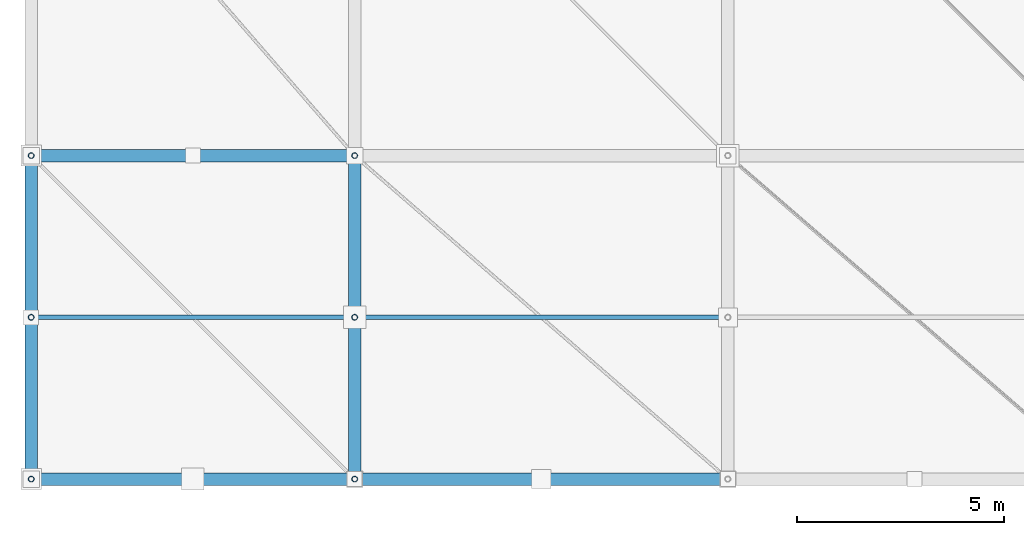
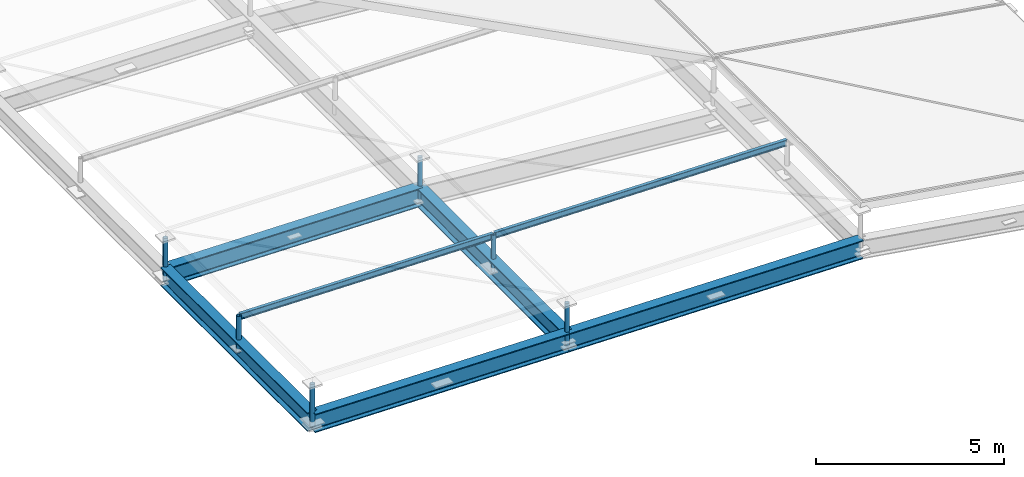
# One storey, part 1 of 80: 8 members, 5 beams.
"""IFC4 building model written with IfcOpenShell, lengths in metres."""

from ifc_helpers import new_model, si_unit, direction, frame, origin, origin_2d, place, context, subcontext, project, spatial, hollow_circle, i_section, extrude, material, material_profile, profile_set, type_object, element, save


model = new_model("IFC4")

# Units and contexts
model_context = context("Model", 3, precision=1e-05, world=origin(), true_north=direction((0.0, 1.0)))
body_context = subcontext(model_context, "Body", "Model", "MODEL_VIEW")
ifc_project = project(units=[si_unit("LENGTHUNIT", "METRE"), si_unit("AREAUNIT", "SQUARE_METRE"), si_unit("VOLUMEUNIT", "CUBIC_METRE"), si_unit("PLANEANGLEUNIT", "RADIAN"), si_unit("MASSUNIT", "GRAM", prefix="KILO")], contexts=[model_context])

# Site, building, storey
site_placement = place(None, origin())
site = spatial("IfcSite", under=ifc_project, at=site_placement, CompositionType="ELEMENT")
building_placement = place(site_placement, origin())
building = spatial("IfcBuilding", under=site, at=building_placement, Name="Barlavento Convention Centre", CompositionType="ELEMENT")
storey_placement = place(building_placement, frame((0.0, 0.0, 29.800048828125)))
storey = spatial("IfcBuildingStorey", under=building, at=storey_placement, Name="RF", CompositionType="ELEMENT", Elevation=29.800048828125)

# Beams
ifc_material = material(Name="Steel S355", Category="steel")
ifc_material_profile_1 = material_profile(ifc_material, i_section(OverallWidth=0.300048828125, OverallDepth=0.60009765625, WebThickness=0.015380859375, FlangeThickness=0.030029296875, FilletRadius=0.027099609375, at=origin_2d()), Name="HEB 600")
ifc_profile_set_1 = profile_set([ifc_material_profile_1], Name="Steel S355")
beam_type = type_object("IfcBeamType", Name="STR-BM-CANT-HEB600", PredefinedType="BEAM", material=ifc_profile_set_1)
for number, where, z_axis, x_axis, name in (
    (1, (-7.794921875, 0.0, 0.39990234375), (0.999894739787, 0.0, -0.014508940219), (0.0, 1.0, 0.0), "Congress roof truss space frame chord"),
    (2, (-7.794921875, -7.800048828125, 0.39990234375), (0.999894739787, 0.0, -0.014508940219), (0.0, 1.0, 0.0), "Congress roof truss space frame chord"),
):
    element("IfcBeam", number, at=place(storey_placement, frame(where, z_axis=z_axis, x_axis=x_axis)), inside=storey, type_object=beam_type, Name=name, PredefinedType="BEAM", context=body_context, shape_type="SweptSolid", body=[
        extrude(i_section(OverallWidth=0.300048828125, OverallDepth=0.60009765625, WebThickness=0.015380859375, FlangeThickness=0.030029296875, FilletRadius=0.027099609375, at=origin_2d()), origin(), (0.0, 0.0, 1.0), 7.790771484375),
    ])
beam_placement = place(storey_placement, frame((0.0048828125, -7.800048828125, 0.286865234375), z_axis=(0.999894477056, 0.0, -0.014527035228), x_axis=(0.0, 1.0, 0.0)))
element("IfcBeam", 3, at=beam_placement, inside=storey, type_object=beam_type, Name="Congress roof truss space frame chord", PredefinedType="BEAM", context=body_context, shape_type="SweptSolid", body=[
    extrude(i_section(OverallWidth=0.300048828125, OverallDepth=0.60009765625, WebThickness=0.015380859375, FlangeThickness=0.030029296875, FilletRadius=0.027099609375, at=origin_2d()), origin(), (0.0, 0.0, 1.0), 8.9912109375),
])
for number, where, z_axis, x_axis, name in (
    (4, (0.0, -7.794921875, 0.286865234375), (0.0, 1.0, 0.0), (-1.0, 0.0, 0.0), "Congress roof truss space frame chord"),
    (5, (-7.800048828125, -7.794921875, 0.39990234375), (0.0, 1.0, 0.0), (-1.0, 0.0, 0.0), "Congress roof truss space frame chord"),
):
    element("IfcBeam", number, at=place(storey_placement, frame(where, z_axis=z_axis, x_axis=x_axis)), inside=storey, type_object=beam_type, Name=name, PredefinedType="BEAM", context=body_context, shape_type="SweptSolid", body=[
        extrude(i_section(OverallWidth=0.300048828125, OverallDepth=0.60009765625, WebThickness=0.015380859375, FlangeThickness=0.030029296875, FilletRadius=0.027099609375, at=origin_2d()), origin(), (0.0, 0.0, 1.0), 7.7900390625),
    ])

# Members
ifc_material_profile_2 = material_profile(ifc_material, hollow_circle(Radius=0.06982421875, WallThickness=0.008056640625, at=origin_2d()), Name="CHS 139.7x8.0")
ifc_profile_set_2 = profile_set([ifc_material_profile_2], Name="Steel S355")
member_type_1 = type_object("IfcMemberType", Name="STR-MEM-DIAG-CHS139", PredefinedType="BRACE", material=ifc_profile_set_2)
for number, where, z_axis, x_axis, name in (
    (6, (-7.800048828125, -7.800048828125, 0.25), (0.0, 0.0, 1.0), (1.0, 0.0, 0.0), "Congress space frame vertical node post TD04"),
    (7, (-7.800048828125, 0.0, 0.25), (0.0, 0.0, 1.0), (1.0, 0.0, 0.0), "Congress space frame vertical node post TD04"),
    (8, (0.0, -7.800048828125, 0.136962890625), (0.0, 0.0, 1.0), (1.0, 0.0, 0.0), "Congress space frame vertical node post TD04"),
    (9, (0.0, 0.0, 0.136962890625), (0.0, 0.0, 1.0), (1.0, 0.0, 0.0), "Congress space frame vertical node post TD04"),
):
    element("IfcMember", number, at=place(storey_placement, frame(where, z_axis=z_axis, x_axis=x_axis)), inside=storey, type_object=member_type_1, Name=name, PredefinedType="BRACE", context=body_context, shape_type="SweptSolid", body=[
        extrude(hollow_circle(Radius=0.06982421875, WallThickness=0.008056640625, at=origin_2d()), origin(), (0.0, 0.0, 1.0), 1.369873046875),
    ])
member_1_placement = place(storey_placement, frame((-7.800048828125, -3.89990234375, 0.280029296875), z_axis=(0.0, 0.0, 1.0), x_axis=(1.0, 0.0, 0.0)))
element("IfcMember", 10, at=member_1_placement, inside=storey, type_object=member_type_1, Name="Congress space frame vertical node post TD04", PredefinedType="BRACE", context=body_context, shape_type="SweptSolid", body=[
    extrude(hollow_circle(Radius=0.06982421875, WallThickness=0.008056640625, at=origin_2d()), origin(), (0.0, 0.0, 1.0), 1.181640625),
])
member_2_placement = place(storey_placement, frame((0.0, -3.89990234375, 0.166748046875), z_axis=(0.0, 0.0, 1.0), x_axis=(1.0, 0.0, 0.0)))
element("IfcMember", 11, at=member_2_placement, inside=storey, type_object=member_type_1, Name="Congress space frame vertical node post TD04", PredefinedType="BRACE", context=body_context, shape_type="SweptSolid", body=[
    extrude(hollow_circle(Radius=0.06982421875, WallThickness=0.008056640625, at=origin_2d()), origin(), (0.0, 0.0, 1.0), 1.19677734375),
])
ifc_material_profile_3 = material_profile(ifc_material, i_section(OverallWidth=0.10009765625, OverallDepth=0.199951171875, WebThickness=0.005615234375, FlangeThickness=0.008544921875, FilletRadius=0.011962890625, at=origin_2d()), Name="IPE 200")
ifc_profile_set_3 = profile_set([ifc_material_profile_3], Name="Steel S355")
member_type_2 = type_object("IfcMemberType", Name="STR-MEM-PUR-IPE200", PredefinedType="PURLIN", material=ifc_profile_set_3)
member_3_placement = place(storey_placement, frame((-7.780029296875, -3.89990234375, 1.421630859375), z_axis=(0.999894837982, 0.0, -0.014502171474), x_axis=(0.0, 1.0, 0.0)))
element("IfcMember", 12, at=member_3_placement, inside=storey, type_object=member_type_2, Name="Congress roof intermediate purlin PR01", PredefinedType="PURLIN", context=body_context, shape_type="SweptSolid", body=[
    extrude(i_section(OverallWidth=0.10009765625, OverallDepth=0.199951171875, WebThickness=0.005615234375, FlangeThickness=0.008544921875, FilletRadius=0.011962890625, at=origin_2d()), origin(), (0.0, 0.0, 1.0), 7.7607421875),
])
member_4_placement = place(storey_placement, frame((0.02001953125, -3.89990234375, 1.323486328125), z_axis=(0.999894950811, 0.0, -0.014494390023), x_axis=(0.0, 1.0, 0.0)))
element("IfcMember", 13, at=member_4_placement, inside=storey, type_object=member_type_2, Name="Congress roof intermediate purlin PR01", PredefinedType="PURLIN", context=body_context, shape_type="SweptSolid", body=[
    extrude(i_section(OverallWidth=0.10009765625, OverallDepth=0.199951171875, WebThickness=0.005615234375, FlangeThickness=0.008544921875, FilletRadius=0.011962890625, at=origin_2d()), origin(), (0.0, 0.0, 1.0), 8.9609375),
])

save(model, "model.ifc")
